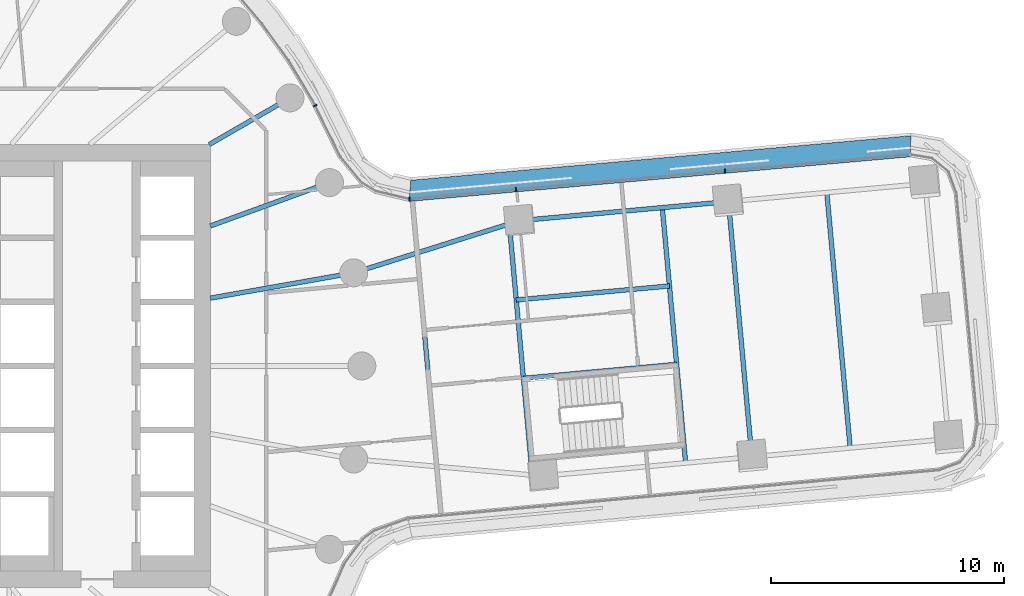
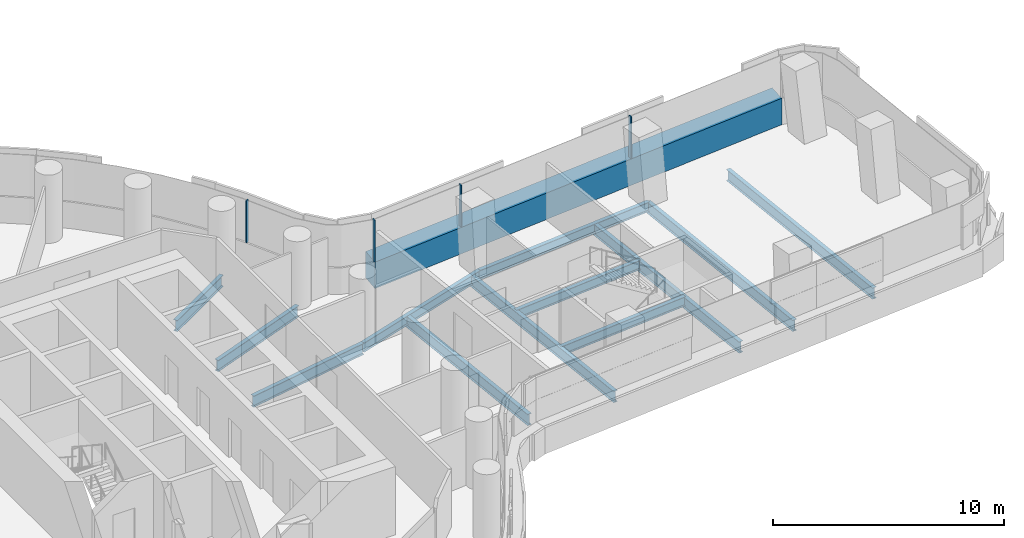
# One storey, part 11 of 31: 12 beams, 5 members, 2 elements without a shape of their own.
"""IFC4 building model written with IfcOpenShell, lengths in metres."""

import ifcopenshell
import ifcopenshell.guid

model = None  # the IFC model being written
_history = None  # IfcOwnerHistory: only IFC2X3 demands one
_inside = {}  # id of a spatial element -> (the spatial element, [elements in it])
_under = {}  # id of a project, library or spatial element -> (it, [spatial elements below it])
_declared = {}  # id of a project -> (the project, [libraries it declares])
_typed = {}  # id of a type object -> (the type object, [elements of that type])
_made_of = {}  # id of a material, layer set ... -> (it, [elements and type objects made of it])


def new_model(schema):
    """Start an empty IFC model of exactly this schema.

    Asked for "IFC4X3", IfcOpenShell would pick the latest addendum, in which some entities
    have other attributes; the version numbers below select the first issue.
    IFC2X3 requires an IfcOwnerHistory on every rooted entity: one is made here for all.
    """
    global model, _history
    if schema == "IFC4X3":
        model = ifcopenshell.file(schema_version=(4, 3, 0, 0))
    else:
        model = ifcopenshell.file(schema=schema)
    _inside.clear()
    _under.clear()
    _declared.clear()
    _typed.clear()
    _made_of.clear()
    _history = None
    if model.schema == "IFC2X3":
        org = make("IfcOrganization", Name="unknown")
        user = make(
            "IfcPersonAndOrganization",
            ThePerson=make("IfcPerson", FamilyName="unknown"),
            TheOrganization=org,
        )
        app = make(
            "IfcApplication",
            ApplicationDeveloper=org,
            Version="unknown",
            ApplicationFullName="unknown",
            ApplicationIdentifier="unknown",
        )
        _history = make(
            "IfcOwnerHistory",
            OwningUser=user,
            OwningApplication=app,
            ChangeAction="ADDED",
            CreationDate=0,
        )
    return model


def make(cls, **values):
    """One entity of the class cls with the attributes given. An attribute that is None is left unset."""
    return model.create_entity(
        cls, **{name: value for name, value in values.items() if value is not None}
    )


def rooted(cls, **values):
    """An entity with a GlobalId (a new one), such as an element, a storey or a relation."""
    return make(cls, GlobalId=ifcopenshell.guid.new(), OwnerHistory=_history, **values)


def si_unit(unit_type, name, prefix=None):
    """IfcSIUnit, for example si_unit("LENGTHUNIT", "METRE", prefix="MILLI")."""
    return make("IfcSIUnit", UnitType=unit_type, Prefix=prefix, Name=name)


def assignment(units):
    """IfcUnitAssignment: the units of a project."""
    return None if units is None else make("IfcUnitAssignment", Units=units)


def point(xyz):
    """IfcCartesianPoint."""
    return None if xyz is None else make("IfcCartesianPoint", Coordinates=xyz)


def direction(xyz):
    """IfcDirection."""
    return None if xyz is None else make("IfcDirection", DirectionRatios=xyz)


def frame(location, z_axis=None, x_axis=None):
    """IfcAxis2Placement3D, a coordinate frame: its origin and axes. An axis left out is left unset."""
    return make(
        "IfcAxis2Placement3D",
        Location=point(location),
        Axis=direction(z_axis),
        RefDirection=direction(x_axis),
    )


def frame_2d(location, x_axis=None):
    """IfcAxis2Placement2D, a coordinate frame in the plane: its origin and x axis."""
    return make(
        "IfcAxis2Placement2D", Location=point(location), RefDirection=direction(x_axis)
    )


def origin():
    """The frame at (0, 0, 0) with its axes left unset."""
    return frame((0.0, 0.0, 0.0))


def origin_2d():
    """The frame at (0, 0) in the plane with its x axis left unset."""
    return frame_2d((0.0, 0.0))


def place(relative_to, where):
    """IfcLocalPlacement: puts the frame where relative to a parent placement (None: the world)."""
    return make(
        "IfcLocalPlacement", PlacementRelTo=relative_to, RelativePlacement=where
    )


def context(
    kind, dimensions, precision=None, world=None, true_north=None, identifier=None
):
    """IfcGeometricRepresentationContext, for example the 3D "Model" context."""
    return make(
        "IfcGeometricRepresentationContext",
        ContextIdentifier=identifier,
        ContextType=kind,
        CoordinateSpaceDimension=dimensions,
        Precision=precision,
        WorldCoordinateSystem=world,
        TrueNorth=true_north,
    )


def subcontext(parent, identifier, kind, view, scale=None):
    """IfcGeometricRepresentationSubContext, for example "Body" below "Model"."""
    return make(
        "IfcGeometricRepresentationSubContext",
        ContextIdentifier=identifier,
        ContextType=kind,
        ParentContext=parent,
        TargetScale=scale,
        TargetView=view,
    )


def project(units=None, contexts=None):
    """IfcProject with its units and contexts."""
    return rooted(
        "IfcProject",
        Name="project",
        RepresentationContexts=contexts,
        UnitsInContext=assignment(units),
    )


def spatial(cls, under=None, at=None, **own):
    """A site, building, storey or space (cls), placed at a placement, below another one or the project."""
    s = rooted(cls, ObjectPlacement=at, **own)
    if under is not None:
        _under.setdefault(under.id(), (under, []))[1].append(s)
    return s


def polyline(points):
    """IfcPolyline through the points."""
    return make("IfcPolyline", Points=[point(p) for p in points])


def profile(cls, at=None, kind="AREA", **sizes):
    """A parametric profile (cls). Its sizes go by their IFC names, for example OverallWidth=200.0."""
    return make(cls, ProfileType=kind, Position=at, **sizes)


def rectangle(**sizes):
    """IfcRectangleProfileDef."""
    return profile("IfcRectangleProfileDef", **sizes)


def i_section(**sizes):
    """IfcIShapeProfileDef."""
    return profile("IfcIShapeProfileDef", **sizes)


def outline(outer, holes=None, kind="AREA"):
    """IfcArbitraryClosedProfileDef: a profile drawn as a closed curve; with holes, ...WithVoids."""
    if holes is None:
        return make("IfcArbitraryClosedProfileDef", ProfileType=kind, OuterCurve=outer)
    return make(
        "IfcArbitraryProfileDefWithVoids",
        ProfileType=kind,
        OuterCurve=outer,
        InnerCurves=holes,
    )


def extrude(swept, where, along, depth):
    """IfcExtrudedAreaSolid: the profile swept, set in the frame where, extruded along a direction by depth."""
    return make(
        "IfcExtrudedAreaSolid",
        SweptArea=swept,
        Position=where,
        ExtrudedDirection=direction(along),
        Depth=depth,
    )


def shape(context_of_items, identifier, shape_type, items):
    """IfcShapeRepresentation: the items that make up one representation, for example the "Body"."""
    return make(
        "IfcShapeRepresentation",
        ContextOfItems=context_of_items,
        RepresentationIdentifier=identifier,
        RepresentationType=shape_type,
        Items=items,
    )


def material(Name=None, Category=None):
    """IfcMaterial."""
    return make("IfcMaterial", Name=Name, Category=Category)


def layer(
    of_material, thickness, ventilated=None, Name=None, Category=None, Priority=None
):
    """IfcMaterialLayer: one layer of a wall or slab, of a material (None: an air gap)."""
    return make(
        "IfcMaterialLayer",
        Material=of_material,
        LayerThickness=thickness,
        IsVentilated=ventilated,
        Name=Name,
        Category=Category,
        Priority=Priority,
    )


def layer_set(layers, Name=None):
    """IfcMaterialLayerSet."""
    return make("IfcMaterialLayerSet", MaterialLayers=layers, LayerSetName=Name)


def material_profile(
    of_material, cross_section, Name=None, Category=None, Priority=None
):
    """IfcMaterialProfile: a cross section and its material."""
    return make(
        "IfcMaterialProfile",
        Name=Name,
        Material=of_material,
        Profile=cross_section,
        Priority=Priority,
        Category=Category,
    )


def profile_set(profiles, Name=None, composite=None):
    """IfcMaterialProfileSet."""
    return make(
        "IfcMaterialProfileSet",
        Name=Name,
        MaterialProfiles=profiles,
        CompositeProfile=composite,
    )


def made_of(thing, what):
    """Note that an element or type object is made of a material, layer set ...; save() writes the relation."""
    if what is not None:
        _made_of.setdefault(what.id(), (what, []))[1].append(thing)
    return thing


def type_object(cls, material=None, **own):
    """A type object (cls), such as IfcWallType, which elements share."""
    return made_of(rooted(cls, **own), material)


def element(
    cls,
    number,
    at=None,
    inside=None,
    cuts=None,
    type_object=None,
    material=None,
    context=None,
    identifier="Body",
    shape_type=None,
    held_by="IfcProductDefinitionShape",
    body=None,
    shapes=None,
    **own,
):
    """One element of the class cls, such as IfcWall. Its Tag is "e" and its number.

    at: its placement. inside: the storey or other place that contains it. cuts: it is an
    opening in that element (IfcRelVoidsElement). A single representation is given by context,
    identifier, shape_type and body (its items); several are given by shapes. held_by: the class
    of the entity that holds the representations. save() writes the other relations.
    """
    e = rooted(cls, Tag="e%d" % number, ObjectPlacement=at, **own)
    if body is not None:
        shapes = [shape(context, identifier, shape_type, body)]
    if shapes is not None:
        e.Representation = make(held_by, Representations=shapes)
    if inside is not None:
        _inside.setdefault(inside.id(), (inside, []))[1].append(e)
    if cuts is not None:
        rooted(
            "IfcRelVoidsElement", RelatingBuildingElement=cuts, RelatedOpeningElement=e
        )
    if type_object is not None:
        _typed.setdefault(type_object.id(), (type_object, []))[1].append(e)
    return made_of(e, material)


def aggregate(whole, parts):
    """IfcRelAggregates: a whole, such as a stair, and the parts it consists of."""
    return rooted("IfcRelAggregates", RelatingObject=whole, RelatedObjects=parts)


def save(model, path):
    """Write the relations noted so far, then the file.

    IfcRelAggregates (storeys below a building ...), IfcRelContainedInSpatialStructure (elements
    in a storey), IfcRelDefinesByType, IfcRelAssociatesMaterial and IfcRelDeclares: one each for
    every whole, place, type object, material and project.
    """
    for whole, parts in _under.values():
        aggregate(whole, parts)
    for where, things in _inside.values():
        rooted(
            "IfcRelContainedInSpatialStructure",
            RelatedElements=things,
            RelatingStructure=where,
        )
    for kind, things in _typed.values():
        rooted("IfcRelDefinesByType", RelatedObjects=things, RelatingType=kind)
    for what, things in _made_of.values():
        rooted("IfcRelAssociatesMaterial", RelatedObjects=things, RelatingMaterial=what)
    for by, libraries in _declared.values():
        rooted("IfcRelDeclares", RelatingContext=by, RelatedDefinitions=libraries)
    model.write(path)


model = new_model("IFC4")

# Units and contexts
model_context = context("Model", 3, precision=1e-05, world=origin(), true_north=direction((0.0, 1.0)))
body_context = subcontext(model_context, "Body", "Model", "MODEL_VIEW")
ifc_project = project(units=[si_unit("LENGTHUNIT", "METRE"), si_unit("AREAUNIT", "SQUARE_METRE"), si_unit("VOLUMEUNIT", "CUBIC_METRE"), si_unit("PLANEANGLEUNIT", "RADIAN"), si_unit("MASSUNIT", "GRAM", prefix="KILO")], contexts=[model_context])

# Site, building, storey
site_placement = place(None, origin())
site = spatial("IfcSite", under=ifc_project, at=site_placement, CompositionType="ELEMENT")
building_placement = place(site_placement, origin())
building = spatial("IfcBuilding", under=site, at=building_placement, Name="Tamarind Cross Interchange Tower", CompositionType="ELEMENT")
storey_placement = place(building_placement, frame((0.0, 0.0, 52.75)))
storey = spatial("IfcBuildingStorey", under=building, at=storey_placement, Name="L11", CompositionType="ELEMENT", Elevation=52.75)

# Beams
ifc_material_1 = material(Name="Steel Q355B", Category="steel")
ifc_material_profile_1 = material_profile(ifc_material_1, i_section(OverallWidth=0.198974609375, OverallDepth=0.49609375, WebThickness=0.009033203125, FlangeThickness=0.013916015625, FilletRadius=0.012939453125, at=origin_2d()), Name="HN 496x199x9x14")
ifc_profile_set_1 = profile_set([ifc_material_profile_1], Name="Steel Q355B")
beam_type_1 = type_object("IfcBeamType", Name="Composite beam HN 496x199x9x14 Q355B", PredefinedType="BEAM", material=ifc_profile_set_1)
beam_1_placement = place(storey_placement, frame((38.727294921875, 7.05224609375, -0.387939453125), z_axis=(-0.995847498535, -0.091037133423, 0.0), x_axis=(0.091037133423, -0.995847498535, 0.0)))
element("IfcBeam", 1, at=beam_1_placement, inside=storey, type_object=beam_type_1, Name="Beam E-edgeep3", PredefinedType="BEAM", context=body_context, shape_type="SweptSolid", body=[
    extrude(i_section(OverallWidth=0.198974609375, OverallDepth=0.49609375, WebThickness=0.009033203125, FlangeThickness=0.013916015625, FilletRadius=0.012939453125, at=origin_2d()), origin(), (0.0, 0.0, 1.0), 9.0),
])
beam_2_placement = place(storey_placement, frame((29.7646484375, 6.23291015625, -0.387939453125), z_axis=(-0.953871646945, -0.300214725081, 0.0), x_axis=(0.300214725081, -0.953871646945, 0.0)))
element("IfcBeam", 2, at=beam_2_placement, inside=storey, type_object=beam_type_1, Name="Beam E-linkep", PredefinedType="BEAM", context=body_context, shape_type="SweptSolid", body=[
    extrude(i_section(OverallWidth=0.198974609375, OverallDepth=0.49609375, WebThickness=0.009033203125, FlangeThickness=0.013916015625, FilletRadius=0.012939453125, at=origin_2d()), origin(), (0.0, 0.0, 1.0), 7.4580078125),
])
beam_3_placement = place(storey_placement, frame((29.93115234375, -0.530029296875, -0.387939453125), z_axis=(0.99584790603, 0.091032675757, 0.0), x_axis=(-0.091032675757, 0.99584790603, 0.0)))
element("IfcBeam", 3, at=beam_3_placement, inside=storey, type_object=beam_type_1, Name="Beam E-tr1", PredefinedType="BEAM", context=body_context, shape_type="SweptSolid", body=[
    extrude(i_section(OverallWidth=0.198974609375, OverallDepth=0.49609375, WebThickness=0.009033203125, FlangeThickness=0.013916015625, FilletRadius=0.012939453125, at=origin_2d()), origin(), (0.0, 0.0, 1.0), 6.60009765625),
])
beam_4_placement = place(storey_placement, frame((29.6240234375, 2.830810546875, -0.387939453125), z_axis=(0.99584424524, 0.091072713933, 0.0), x_axis=(-0.091072713933, 0.99584424524, 0.0)))
element("IfcBeam", 4, at=beam_4_placement, inside=storey, type_object=beam_type_1, Name="Beam E-stripp", PredefinedType="BEAM", context=body_context, shape_type="SweptSolid", body=[
    extrude(i_section(OverallWidth=0.198974609375, OverallDepth=0.49609375, WebThickness=0.009033203125, FlangeThickness=0.013916015625, FilletRadius=0.012939453125, at=origin_2d()), origin(), (0.0, 0.0, 1.0), 6.599853515625),
])
ifc_material_profile_2 = material_profile(ifc_material_1, i_section(OverallWidth=0.198974609375, OverallDepth=0.595947265625, WebThickness=0.010009765625, FlangeThickness=0.014892578125, FilletRadius=0.012939453125, at=origin_2d()), Name="HN 596x199x10x15")
ifc_profile_set_2 = profile_set([ifc_material_profile_2], Name="Steel Q355B")
beam_type_2 = type_object("IfcBeamType", Name="Composite beam HN 596x199x10x15 Q355B", PredefinedType="BEAM", material=ifc_profile_set_2)
beam_5_placement = place(storey_placement, frame((22.650634765625, 3.993896484375, -0.43798828125), z_axis=(-0.984809127561, -0.173640382036, 0.0), x_axis=(0.173640382036, -0.984809127561, 0.0)))
element("IfcBeam", 5, at=beam_5_placement, inside=storey, type_object=beam_type_2, Name="Beam HH01", PredefinedType="BEAM", context=body_context, shape_type="SweptSolid", body=[
    extrude(i_section(OverallWidth=0.198974609375, OverallDepth=0.595947265625, WebThickness=0.010009765625, FlangeThickness=0.014892578125, FilletRadius=0.012939453125, at=origin_2d()), origin(), (0.0, 0.0, 1.0), 6.24560546875),
])
beam_6_placement = place(storey_placement, frame((21.613037109375, 7.866455078125, -0.43798828125), z_axis=(-0.939701685589, -0.341995236956, 0.0), x_axis=(0.341995236956, -0.939701685589, 0.0)))
element("IfcBeam", 6, at=beam_6_placement, inside=storey, type_object=beam_type_2, Name="Beam HH02", PredefinedType="BEAM", context=body_context, shape_type="SweptSolid", body=[
    extrude(i_section(OverallWidth=0.198974609375, OverallDepth=0.595947265625, WebThickness=0.010009765625, FlangeThickness=0.014892578125, FilletRadius=0.012939453125, at=origin_2d()), origin(), (0.0, 0.0, 1.0), 5.441162109375),
])
beam_7_placement = place(storey_placement, frame((19.918701171875, 11.5, -0.43798828125), z_axis=(-0.866026010844, -0.49999894854, 0.0), x_axis=(0.49999894854, -0.866026010844, 0.0)))
element("IfcBeam", 7, at=beam_7_placement, inside=storey, type_object=beam_type_2, Name="Beam HH03", PredefinedType="BEAM", context=body_context, shape_type="SweptSolid", body=[
    extrude(i_section(OverallWidth=0.198974609375, OverallDepth=0.595947265625, WebThickness=0.010009765625, FlangeThickness=0.014892578125, FilletRadius=0.012939453125, at=origin_2d()), origin(), (0.0, 0.0, 1.0), 4.0),
])
ifc_material_profile_3 = material_profile(ifc_material_1, i_section(OverallWidth=0.199951171875, OverallDepth=0.60009765625, WebThickness=0.010986328125, FlangeThickness=0.01708984375, FilletRadius=0.012939453125, at=origin_2d()), Name="HN 600x200x11x17")
ifc_profile_set_3 = profile_set([ifc_material_profile_3], Name="Steel Q355B")
beam_type_3 = type_object("IfcBeamType", Name="Composite beam HN 600x200x11x17 Q355B", PredefinedType="BEAM", material=ifc_profile_set_3)
beam_8_placement = place(storey_placement, frame((30.310791015625, -4.6806640625, -0.43994140625), z_axis=(-0.091064671518, 0.995844980708, 0.0), x_axis=(-0.995844980708, -0.091064671518, 0.0)))
element("IfcBeam", 8, at=beam_8_placement, inside=storey, type_object=beam_type_3, Name="Beam E-x298", PredefinedType="BEAM", context=body_context, shape_type="SweptSolid", body=[
    extrude(i_section(OverallWidth=0.199951171875, OverallDepth=0.60009765625, WebThickness=0.010986328125, FlangeThickness=0.01708984375, FilletRadius=0.012939453125, at=origin_2d()), origin(), (0.0, 0.0, 1.0), 10.8203125),
])
beam_9_placement = place(storey_placement, frame((36.890869140625, -4.161376953125, -0.43994140625), z_axis=(-0.09106604795, 0.99584485484, 0.0), x_axis=(-0.99584485484, -0.09106604795, 0.0)))
element("IfcBeam", 9, at=beam_9_placement, inside=storey, type_object=beam_type_3, Name="Beam E-x364", PredefinedType="BEAM", context=body_context, shape_type="SweptSolid", body=[
    extrude(i_section(OverallWidth=0.199951171875, OverallDepth=0.60009765625, WebThickness=0.010986328125, FlangeThickness=0.01708984375, FilletRadius=0.012939453125, at=origin_2d()), origin(), (0.0, 0.0, 1.0), 10.999755859375),
])
beam_10_placement = place(storey_placement, frame((39.72900390625, -3.902099609375, -0.43994140625), z_axis=(-0.091064035182, 0.995845038897, 0.0), x_axis=(-0.995845038897, -0.091064035182, 0.0)))
element("IfcBeam", 10, at=beam_10_placement, inside=storey, type_object=beam_type_3, Name="Beam E-x393", PredefinedType="BEAM", context=body_context, shape_type="SweptSolid", body=[
    extrude(i_section(OverallWidth=0.199951171875, OverallDepth=0.60009765625, WebThickness=0.010986328125, FlangeThickness=0.01708984375, FilletRadius=0.012939453125, at=origin_2d()), origin(), (0.0, 0.0, 1.0), 11.0),
])
beam_11_placement = place(storey_placement, frame((26.210205078125, -4.31298828125, -0.43994140625), z_axis=(-0.091057236296, 0.995845660591, 0.0), x_axis=(-0.995845660591, -0.091057236296, 0.0)))
element("IfcBeam", 11, at=beam_11_placement, inside=storey, type_object=beam_type_3, Name="Beam E-x258", PredefinedType="BEAM", context=body_context, shape_type="SweptSolid", body=[
    extrude(i_section(OverallWidth=0.199951171875, OverallDepth=0.60009765625, WebThickness=0.010986328125, FlangeThickness=0.01708984375, FilletRadius=0.012939453125, at=origin_2d()), origin(), (0.0, 0.0, 1.0), 9.201904296875),
])
beam_12_placement = place(storey_placement, frame((43.948486328125, -3.51611328125, -0.43994140625), z_axis=(-0.09106604795, 0.99584485484, 0.0), x_axis=(-0.99584485484, -0.09106604795, 0.0)))
element("IfcBeam", 12, at=beam_12_placement, inside=storey, type_object=beam_type_3, Name="Beam E-x435", PredefinedType="BEAM", context=body_context, shape_type="SweptSolid", body=[
    extrude(i_section(OverallWidth=0.199951171875, OverallDepth=0.60009765625, WebThickness=0.010986328125, FlangeThickness=0.01708984375, FilletRadius=0.012939453125, at=origin_2d()), origin(), (0.0, 0.0, 1.0), 10.999755859375),
])

# Curtain wall, members
ifc_material_2 = material(Name="Aluminium 6063-T6", Category="aluminium")
ifc_layer = layer(ifc_material_2, 0.159912109375)
ifc_layer_set = layer_set([ifc_layer], Name="Aluminium 6063-T6")
curtain_wall_type = type_object("IfcCurtainWallType", Name="Office curtain wall, 9.0 m bays", PredefinedType="NOTDEFINED", material=ifc_layer_set)
curtain_wall_1_placement = place(storey_placement, origin())
curtain_wall_1 = element("IfcCurtainWall", 13, at=curtain_wall_1_placement, inside=storey, type_object=curtain_wall_type, Name="CWS-L11-13", PredefinedType="NOTDEFINED")
ifc_material_3 = material(Name="Aluminium and insulated spandrel panel", Category="aluminium")
member_type_1 = type_object("IfcMemberType", Name="Floor-edge blade transom", PredefinedType="USERDEFINED", material=ifc_material_3)
member_1_placement = place(storey_placement, origin())
member_1 = element("IfcMember", 14, at=member_1_placement, type_object=member_type_1, Name="CWT-L11-13", ObjectType="TRANSOM", PredefinedType="USERDEFINED", context=body_context, shape_type="SweptSolid", body=[
    extrude(outline(polyline([(46.51953125, 8.9697265625), (25.03173828125, 7.056640625), (25.0966796875, 7.966064453125), (46.556640625, 9.876708984375), (46.51953125, 8.9697265625)])), origin(), (0.0, 0.0, 1.0), 1.39990234375),
])
ifc_material_profile_4 = material_profile(ifc_material_2, rectangle(XDim=0.06005859375, YDim=0.159912109375, at=origin_2d()), Name="Mullion CW1")
ifc_profile_set_4 = profile_set([ifc_material_profile_4], Name="Aluminium 6063-T6")
member_type_2 = type_object("IfcMemberType", Name="Mullion CW1", PredefinedType="MULLION", material=ifc_profile_set_4)
member_2_placement = place(storey_placement, frame((38.57861328125, 8.36328125, 1.39990234375), z_axis=(0.0, 0.0, 1.0), x_axis=(-0.996059781171, -0.088684340968, 0.0)))
member_2 = element("IfcMember", 15, at=member_2_placement, type_object=member_type_2, Name="CWM-L11-13-01", PredefinedType="MULLION", context=body_context, shape_type="SweptSolid", body=[
    extrude(rectangle(XDim=0.06005859375, YDim=0.159912109375, at=origin_2d()), origin(), (0.0, 0.0, 1.0), 2.210205078125),
])
member_3_placement = place(storey_placement, frame((29.611572265625, 7.56494140625, 1.39990234375), z_axis=(0.0, 0.0, 1.0), x_axis=(-0.996059781171, -0.088684340968, 0.0)))
member_3 = element("IfcMember", 16, at=member_3_placement, type_object=member_type_2, Name="CWM-L11-13-02", PredefinedType="MULLION", context=body_context, shape_type="SweptSolid", body=[
    extrude(rectangle(XDim=0.06005859375, YDim=0.159912109375, at=origin_2d()), origin(), (0.0, 0.0, 1.0), 2.210205078125),
])
aggregate(curtain_wall_1, [member_2, member_3, member_1])

curtain_wall_2_placement = place(storey_placement, origin())
curtain_wall_2 = element("IfcCurtainWall", 17, at=curtain_wall_2_placement, inside=storey, type_object=curtain_wall_type, Name="CWS-L11-14", PredefinedType="NOTDEFINED")
member_4_placement = place(storey_placement, frame((25.0390625, 7.15771484375, 1.39990234375), z_axis=(0.0, 0.0, 1.0), x_axis=(-0.997462493342, 0.071193920923, 0.0)))
member_4 = element("IfcMember", 18, at=member_4_placement, type_object=member_type_2, Name="CWM-L11-14-00", PredefinedType="MULLION", context=body_context, shape_type="SweptSolid", body=[
    extrude(rectangle(XDim=0.06005859375, YDim=0.159912109375, at=origin_2d()), origin(), (0.0, 0.0, 1.0), 2.210205078125),
])
member_5_placement = place(storey_placement, frame((21.001953125, 11.166259765625, 1.39990234375), z_axis=(0.0, 0.0, 1.0), x_axis=(-0.443058811505, 0.896492548518, 0.0)))
member_5 = element("IfcMember", 19, at=member_5_placement, type_object=member_type_2, Name="CWM-L11-14-01", PredefinedType="MULLION", context=body_context, shape_type="SweptSolid", body=[
    extrude(rectangle(XDim=0.06005859375, YDim=0.159912109375, at=origin_2d()), origin(), (0.0, 0.0, 1.0), 2.210205078125),
])
aggregate(curtain_wall_2, [member_4, member_5])

save(model, "model.ifc")
